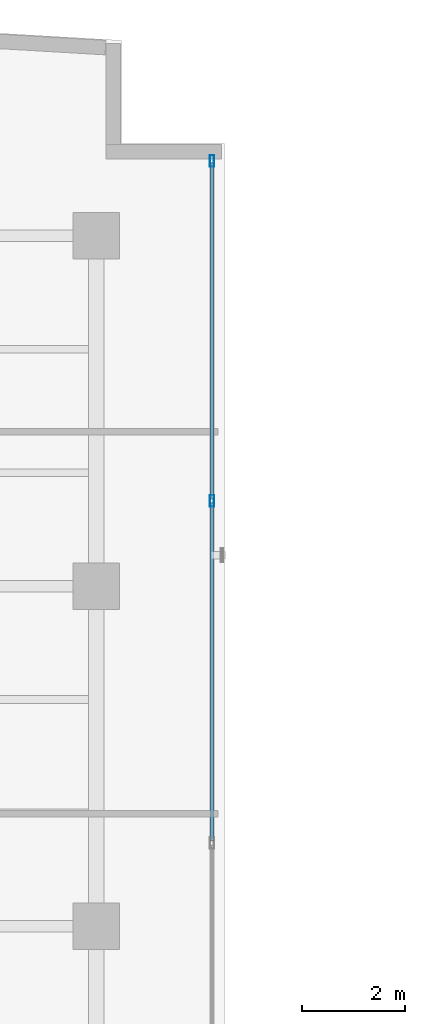
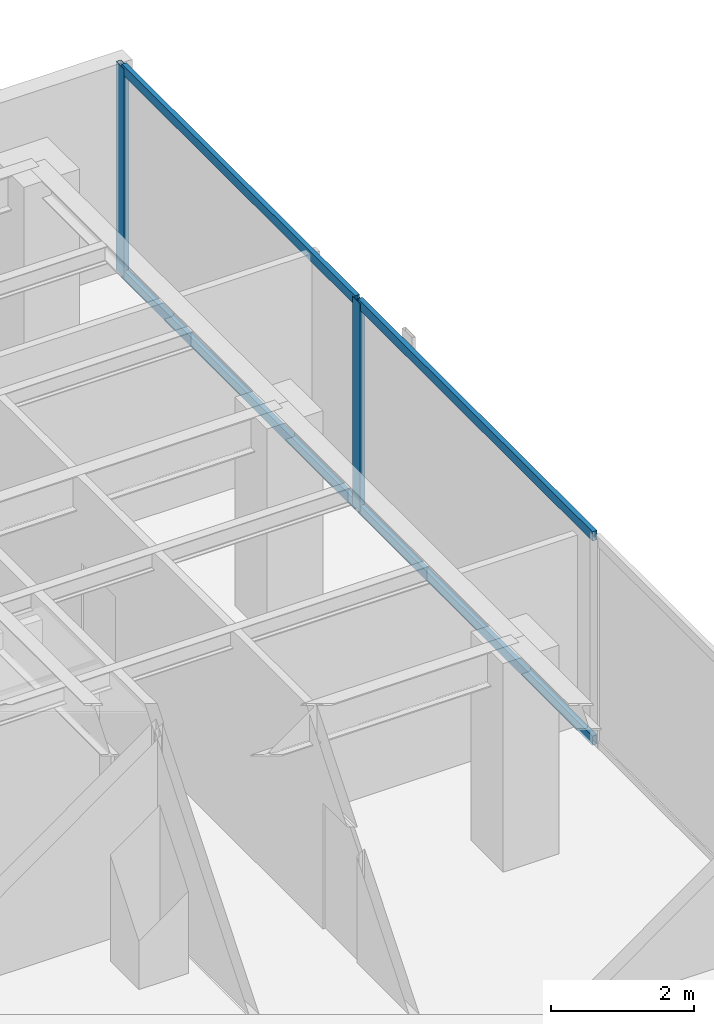
# One storey, part 14 of 23: 6 members, 1 element without a shape of its own.
"""IFC4 building model written with IfcOpenShell, lengths in metres."""

from ifc_helpers import new_model, si_unit, direction, frame, origin, origin_with_axes, origin_2d, place, context, subcontext, project, spatial, hollow_rectangle, extrude, source, transform, mapped, material, layer, layer_set, material_profile, profile_set, type_object, element, aggregate, save


model = new_model("IFC4")

# Units and contexts
model_context = context("Model", 3, precision=1e-05, world=origin(), true_north=direction((0.0, 1.0)))
body_context = subcontext(model_context, "Body", "Model", "MODEL_VIEW")
ifc_project = project(units=[si_unit("LENGTHUNIT", "METRE"), si_unit("AREAUNIT", "SQUARE_METRE"), si_unit("VOLUMEUNIT", "CUBIC_METRE"), si_unit("PLANEANGLEUNIT", "RADIAN"), si_unit("MASSUNIT", "GRAM", prefix="KILO")], contexts=[model_context])

# Site, building, storey
site_placement = place(None, origin())
site = spatial("IfcSite", under=ifc_project, at=site_placement, CompositionType="ELEMENT")
building_placement = place(site_placement, origin())
building = spatial("IfcBuilding", under=site, at=building_placement, Name="Kolvaren Waterfront Exchange", CompositionType="ELEMENT")
storey_placement = place(building_placement, frame((0.0, 0.0, 304.60009765625)))
storey = spatial("IfcBuildingStorey", under=building, at=storey_placement, Name="L78", CompositionType="ELEMENT", Elevation=304.60009765625)

# Curtain wall, members
ifc_material_1 = material(Name="Anodised bronze aluminium 6063-T6", Category="aluminium")
ifc_layer = layer(ifc_material_1, 0.219970703125, Name="Anodised bronze aluminium 6063-T6")
ifc_layer_set = layer_set([ifc_layer], Name="Anodised bronze aluminium 6063-T6")
curtain_wall_type = type_object("IfcCurtainWallType", Name="ARC-CW-SYS1", PredefinedType="USERDEFINED", material=ifc_layer_set)
curtain_wall_placement = place(storey_placement, origin())
curtain_wall = element("IfcCurtainWall", 1, at=curtain_wall_placement, inside=storey, type_object=curtain_wall_type, Name="L78 stick curtain wall CW1 (CW-L78-NE)", ObjectType="STICK CURTAIN WALL", PredefinedType="USERDEFINED")
ifc_material_2 = material(Name="Anodised aluminium 6063-T6", Category="aluminium")
ifc_material_profile_1 = material_profile(ifc_material_2, hollow_rectangle(XDim=0.080078125, YDim=0.219970703125, WallThickness=0.0048828125, at=origin_2d()), Name="ALU-MUL-220x80x5")
ifc_profile_set_1 = profile_set([ifc_material_profile_1], Name="Anodised aluminium 6063-T6")
member_type_1 = type_object("IfcMemberType", Name="ARC-CWM-220", PredefinedType="MULLION", material=ifc_profile_set_1)
shared_shape_1 = source(origin_with_axes(), body_context, "Body", "SweptSolid", [
    extrude(hollow_rectangle(XDim=0.080078125, YDim=0.219970703125, WallThickness=0.0048828125, at=origin_2d()), origin(), (0.0, 0.0, 1.0), 3.559814453125),
])
member_1_placement = place(storey_placement, frame((21.044189453125, 39.45458984375, 0.0), z_axis=(0.0, 0.0, 1.0), x_axis=(-1.0, 0.0, 0.0)))
member_1 = element("IfcMember", 2, at=member_1_placement, type_object=member_type_1, Name="CW1 mullion 3", PredefinedType="MULLION", context=body_context, shape_type="MappedRepresentation", body=[
    mapped(shared_shape_1, transform((0.0, 0.0, 0.0), x_axis=(1.0, 0.0, 0.0), y_axis=(0.0, 1.0, 0.0), z_axis=(0.0, 0.0, 1.0), scale=1.0)),
])
member_2_placement = place(storey_placement, frame((21.044189453125, 46.0546875, 0.0), z_axis=(0.0, 0.0, 1.0), x_axis=(-1.0, 0.0, 0.0)))
member_2 = element("IfcMember", 3, at=member_2_placement, type_object=member_type_1, Name="CW1 mullion 4", PredefinedType="MULLION", context=body_context, shape_type="MappedRepresentation", body=[
    mapped(shared_shape_1, transform((0.0, 0.0, 0.0), x_axis=(1.0, 0.0, 0.0), y_axis=(0.0, 1.0, 0.0), z_axis=(0.0, 0.0, 1.0), scale=1.0)),
])
ifc_material_profile_2 = material_profile(ifc_material_2, hollow_rectangle(XDim=0.074951171875, YDim=0.159912109375, WallThickness=0.00439453125, at=origin_2d()), Name="ALU-TRN-160x75x4.5")
ifc_profile_set_2 = profile_set([ifc_material_profile_2], Name="Anodised aluminium 6063-T6")
member_type_2 = type_object("IfcMemberType", Name="ARC-CWT-160", PredefinedType="USERDEFINED", material=ifc_profile_set_2)
shared_shape_2 = source(origin_with_axes(), body_context, "Body", "SweptSolid", [
    extrude(hollow_rectangle(XDim=0.074951171875, YDim=0.159912109375, WallThickness=0.00439453125, at=origin_2d()), origin(), (0.0, 0.0, 1.0), 6.560302734375),
])
member_3_placement = place(storey_placement, frame((21.044189453125, 32.854248046875, 0.037353515625), z_axis=(0.0, 1.0, 0.0), x_axis=(-1.0, 0.0, 0.0)))
member_3 = element("IfcMember", 4, at=member_3_placement, type_object=member_type_2, Name="CW1 transom 2.1", ObjectType="TRANSOM", PredefinedType="USERDEFINED", context=body_context, shape_type="MappedRepresentation", body=[
    mapped(shared_shape_2, transform((0.0, 0.0, 0.0), x_axis=(1.0, 0.0, 0.0), y_axis=(0.0, 1.0, 0.0), z_axis=(0.0, 0.0, 1.0), scale=1.0)),
])
member_4_placement = place(storey_placement, frame((21.044189453125, 32.854248046875, 3.5224609375), z_axis=(0.0, 1.0, 0.0), x_axis=(-1.0, 0.0, 0.0)))
member_4 = element("IfcMember", 5, at=member_4_placement, type_object=member_type_2, Name="CW1 transom 2.2", ObjectType="TRANSOM", PredefinedType="USERDEFINED", context=body_context, shape_type="MappedRepresentation", body=[
    mapped(shared_shape_2, transform((0.0, 0.0, 0.0), x_axis=(1.0, 0.0, 0.0), y_axis=(0.0, 1.0, 0.0), z_axis=(0.0, 0.0, 1.0), scale=1.0)),
])
shared_shape_3 = source(origin_with_axes(), body_context, "Body", "SweptSolid", [
    extrude(hollow_rectangle(XDim=0.074951171875, YDim=0.159912109375, WallThickness=0.00439453125, at=origin_2d()), origin(), (0.0, 0.0, 1.0), 6.52001953125),
])
member_5_placement = place(storey_placement, frame((21.044189453125, 39.49462890625, 0.037353515625), z_axis=(0.0, 1.0, 0.0), x_axis=(-1.0, 0.0, 0.0)))
member_5 = element("IfcMember", 6, at=member_5_placement, type_object=member_type_2, Name="CW1 transom 3.1", ObjectType="TRANSOM", PredefinedType="USERDEFINED", context=body_context, shape_type="MappedRepresentation", body=[
    mapped(shared_shape_3, transform((0.0, 0.0, 0.0), x_axis=(1.0, 0.0, 0.0), y_axis=(0.0, 1.0, 0.0), z_axis=(0.0, 0.0, 1.0), scale=1.0)),
])
member_6_placement = place(storey_placement, frame((21.044189453125, 39.49462890625, 3.5224609375), z_axis=(0.0, 1.0, 0.0), x_axis=(-1.0, 0.0, 0.0)))
member_6 = element("IfcMember", 7, at=member_6_placement, type_object=member_type_2, Name="CW1 transom 3.2", ObjectType="TRANSOM", PredefinedType="USERDEFINED", context=body_context, shape_type="MappedRepresentation", body=[
    mapped(shared_shape_3, transform((0.0, 0.0, 0.0), x_axis=(1.0, 0.0, 0.0), y_axis=(0.0, 1.0, 0.0), z_axis=(0.0, 0.0, 1.0), scale=1.0)),
])
aggregate(curtain_wall, [member_1, member_2, member_3, member_4, member_5, member_6])

save(model, "model.ifc")
